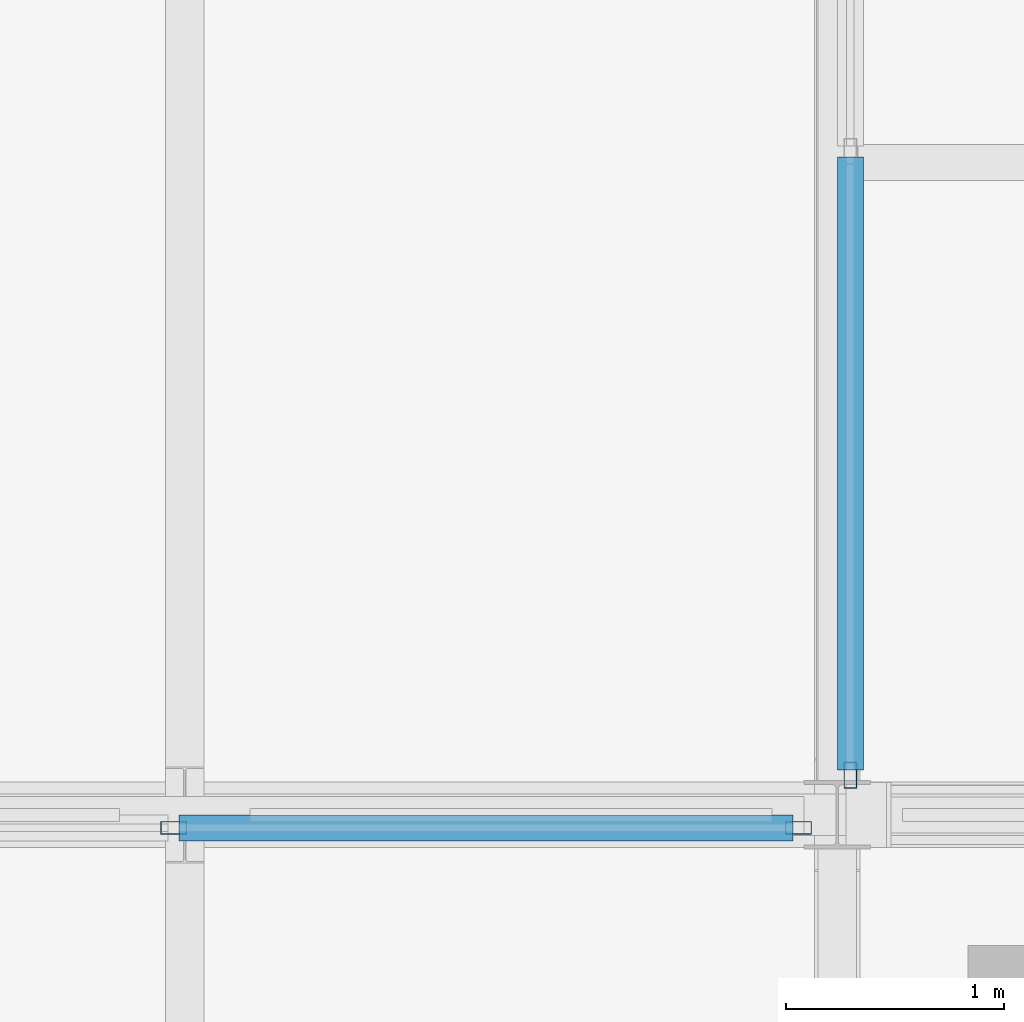
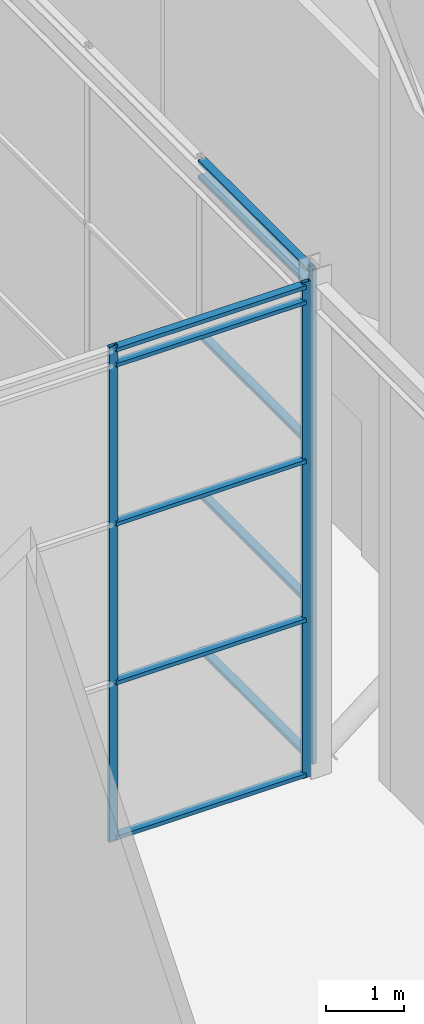
# One storey, part 63 of 144: 13 members, 2 elements without a shape of their own.
"""IFC4 building model written with IfcOpenShell, lengths in metres."""

from ifc_helpers import new_model, si_unit, direction, frame, origin, origin_2d, place, context, subcontext, project, spatial, hollow_rectangle, extrude, material, layer, layer_set, material_profile, profile_set, type_object, element, aggregate, save


model = new_model("IFC4")

# Units and contexts
model_context = context("Model", 3, precision=1e-05, world=origin(), true_north=direction((0.0, 1.0)))
body_context = subcontext(model_context, "Body", "Model", "MODEL_VIEW")
ifc_project = project(units=[si_unit("LENGTHUNIT", "METRE"), si_unit("AREAUNIT", "SQUARE_METRE"), si_unit("VOLUMEUNIT", "CUBIC_METRE"), si_unit("PLANEANGLEUNIT", "RADIAN"), si_unit("MASSUNIT", "GRAM", prefix="KILO")], contexts=[model_context])

# Site, building, storey
site_placement = place(None, origin())
site = spatial("IfcSite", under=ifc_project, at=site_placement, CompositionType="ELEMENT")
building_placement = place(site_placement, origin())
building = spatial("IfcBuilding", under=site, at=building_placement, Name="Shorebreak Coast Museum", CompositionType="ELEMENT")
storey_placement = place(building_placement, frame((0.0, 0.0, 36.0)))
storey = spatial("IfcBuildingStorey", under=building, at=storey_placement, Name="L06", CompositionType="ELEMENT", Elevation=36.0)

# Curtain wall, members
ifc_material_1 = material(Name="Aluminium", Category="aluminium")
ifc_layer = layer(ifc_material_1, 0.1201171875)
ifc_layer_set = layer_set([ifc_layer], Name="Aluminium")
curtain_wall_type = type_object("IfcCurtainWallType", Name="Atrium fire screen", PredefinedType="NOTDEFINED", material=ifc_layer_set)
curtain_wall_1_placement = place(storey_placement, origin())
curtain_wall_1 = element("IfcCurtainWall", 1, at=curtain_wall_1_placement, inside=storey, type_object=curtain_wall_type, Name="Atrium screen L06 S 83", PredefinedType="NOTDEFINED")
ifc_material_2 = material(Name="Aluminium", Category="aluminium")
ifc_material_profile_1 = material_profile(ifc_material_2, hollow_rectangle(XDim=0.06005859375, YDim=0.1201171875, WallThickness=0.00341796875, at=origin_2d()), Name="AL 120x60 RHS")
ifc_profile_set_1 = profile_set([ifc_material_profile_1], Name="Aluminium")
member_type_1 = type_object("IfcMemberType", Name="Screen mullion 50 x 120", PredefinedType="MULLION", material=ifc_profile_set_1)
member_1_placement = place(storey_placement, frame((104.94873046875, 62.93994140625, 0.0), z_axis=(0.0, 0.0, 1.0), x_axis=(0.0, 1.0, 0.0)))
member_1 = element("IfcMember", 2, at=member_1_placement, type_object=member_type_1, Name="CW6 mullion 3", PredefinedType="MULLION", context=body_context, shape_type="SweptSolid", body=[
    extrude(hollow_rectangle(XDim=0.06005859375, YDim=0.1201171875, WallThickness=0.00341796875, at=origin_2d()), origin(), (0.0, 0.0, 1.0), 7.800048828125),
])
member_2_placement = place(storey_placement, frame((107.821533203125, 62.93994140625, 0.0), z_axis=(0.0, 0.0, 1.0), x_axis=(0.0, 1.0, 0.0)))
member_2 = element("IfcMember", 3, at=member_2_placement, type_object=member_type_1, Name="CW6 mullion 4", PredefinedType="MULLION", context=body_context, shape_type="SweptSolid", body=[
    extrude(hollow_rectangle(XDim=0.06005859375, YDim=0.1201171875, WallThickness=0.00341796875, at=origin_2d()), origin(), (0.0, 0.0, 1.0), 7.800048828125),
])

# Curtain wall, member
curtain_wall_2_placement = place(storey_placement, origin())
curtain_wall_2 = element("IfcCurtainWall", 4, at=curtain_wall_2_placement, inside=storey, type_object=curtain_wall_type, Name="Atrium screen L06 E 91", PredefinedType="NOTDEFINED")
member_3_placement = place(storey_placement, frame((108.06005859375, 63.182373046875, 0.0), z_axis=(0.0, 0.0, 1.0), x_axis=(-1.0, 0.0, 0.0)))
member_3 = element("IfcMember", 5, at=member_3_placement, type_object=member_type_1, Name="CW5 mullion 1", PredefinedType="MULLION", context=body_context, shape_type="SweptSolid", body=[
    extrude(hollow_rectangle(XDim=0.06005859375, YDim=0.1201171875, WallThickness=0.00341796875, at=origin_2d()), origin(), (0.0, 0.0, 1.0), 7.800048828125),
])

# Member
ifc_material_3 = material(Name="Aluminium", Category="aluminium")
ifc_material_profile_2 = material_profile(ifc_material_3, hollow_rectangle(XDim=0.1201171875, YDim=0.06005859375, WallThickness=0.00341796875, at=origin_2d()), Name="AL 60x120 RHS")
ifc_profile_set_2 = profile_set([ifc_material_profile_2], Name="Aluminium")
member_type_2 = type_object("IfcMemberType", Name="Screen transom 120 x 50", PredefinedType="USERDEFINED", material=ifc_profile_set_2)
member_4_placement = place(storey_placement, frame((104.973876953125, 62.93994140625, 0.06005859375), z_axis=(1.0, 0.0, 0.0), x_axis=(0.0, 1.0, 0.0)))
member_4 = element("IfcMember", 6, at=member_4_placement, type_object=member_type_2, Name="CW6 transom 3.1", ObjectType="TRANSOM", PredefinedType="USERDEFINED", context=body_context, shape_type="SweptSolid", body=[
    extrude(hollow_rectangle(XDim=0.1201171875, YDim=0.06005859375, WallThickness=0.00341796875, at=origin_2d()), origin(), (0.0, 0.0, 1.0), 2.822509765625),
])

member_5_placement = place(storey_placement, frame((104.973876953125, 62.93994140625, 2.5), z_axis=(1.0, 0.0, 0.0), x_axis=(0.0, 1.0, 0.0)))
member_5 = element("IfcMember", 7, at=member_5_placement, type_object=member_type_2, Name="CW6 transom 3.2", ObjectType="TRANSOM", PredefinedType="USERDEFINED", context=body_context, shape_type="SweptSolid", body=[
    extrude(hollow_rectangle(XDim=0.1201171875, YDim=0.06005859375, WallThickness=0.00341796875, at=origin_2d()), origin(), (0.0, 0.0, 1.0), 2.822509765625),
])

member_6_placement = place(storey_placement, frame((104.973876953125, 62.93994140625, 5.0), z_axis=(1.0, 0.0, 0.0), x_axis=(0.0, 1.0, 0.0)))
member_6 = element("IfcMember", 8, at=member_6_placement, type_object=member_type_2, Name="CW6 transom 3.3", ObjectType="TRANSOM", PredefinedType="USERDEFINED", context=body_context, shape_type="SweptSolid", body=[
    extrude(hollow_rectangle(XDim=0.1201171875, YDim=0.06005859375, WallThickness=0.00341796875, at=origin_2d()), origin(), (0.0, 0.0, 1.0), 2.822509765625),
])

member_7_placement = place(storey_placement, frame((104.973876953125, 62.93994140625, 7.5), z_axis=(1.0, 0.0, 0.0), x_axis=(0.0, 1.0, 0.0)))
member_7 = element("IfcMember", 9, at=member_7_placement, type_object=member_type_2, Name="CW6 transom 3.4", ObjectType="TRANSOM", PredefinedType="USERDEFINED", context=body_context, shape_type="SweptSolid", body=[
    extrude(hollow_rectangle(XDim=0.1201171875, YDim=0.06005859375, WallThickness=0.00341796875, at=origin_2d()), origin(), (0.0, 0.0, 1.0), 2.822509765625),
])

member_8_placement = place(storey_placement, frame((104.973876953125, 62.93994140625, 7.739990234375), z_axis=(1.0, 0.0, 0.0), x_axis=(0.0, 1.0, 0.0)))
member_8 = element("IfcMember", 10, at=member_8_placement, type_object=member_type_2, Name="CW6 transom 3.5", ObjectType="TRANSOM", PredefinedType="USERDEFINED", context=body_context, shape_type="SweptSolid", body=[
    extrude(hollow_rectangle(XDim=0.1201171875, YDim=0.06005859375, WallThickness=0.00341796875, at=origin_2d()), origin(), (0.0, 0.0, 1.0), 2.822509765625),
])

aggregate(curtain_wall_1, [member_1, member_2, member_4, member_5, member_6, member_7, member_8])

member_9_placement = place(storey_placement, frame((108.06005859375, 63.207275390625, 0.06005859375), z_axis=(0.0, 1.0, 0.0), x_axis=(-1.0, 0.0, 0.0)))
member_9 = element("IfcMember", 11, at=member_9_placement, type_object=member_type_2, Name="CW5 transom 1.1", ObjectType="TRANSOM", PredefinedType="USERDEFINED", context=body_context, shape_type="SweptSolid", body=[
    extrude(hollow_rectangle(XDim=0.1201171875, YDim=0.06005859375, WallThickness=0.00341796875, at=origin_2d()), origin(), (0.0, 0.0, 1.0), 2.818115234375),
])

member_10_placement = place(storey_placement, frame((108.06005859375, 63.207275390625, 2.5), z_axis=(0.0, 1.0, 0.0), x_axis=(-1.0, 0.0, 0.0)))
member_10 = element("IfcMember", 12, at=member_10_placement, type_object=member_type_2, Name="CW5 transom 1.2", ObjectType="TRANSOM", PredefinedType="USERDEFINED", context=body_context, shape_type="SweptSolid", body=[
    extrude(hollow_rectangle(XDim=0.1201171875, YDim=0.06005859375, WallThickness=0.00341796875, at=origin_2d()), origin(), (0.0, 0.0, 1.0), 2.818115234375),
])

member_11_placement = place(storey_placement, frame((108.06005859375, 63.207275390625, 5.0), z_axis=(0.0, 1.0, 0.0), x_axis=(-1.0, 0.0, 0.0)))
member_11 = element("IfcMember", 13, at=member_11_placement, type_object=member_type_2, Name="CW5 transom 1.3", ObjectType="TRANSOM", PredefinedType="USERDEFINED", context=body_context, shape_type="SweptSolid", body=[
    extrude(hollow_rectangle(XDim=0.1201171875, YDim=0.06005859375, WallThickness=0.00341796875, at=origin_2d()), origin(), (0.0, 0.0, 1.0), 2.818115234375),
])

member_12_placement = place(storey_placement, frame((108.06005859375, 63.207275390625, 7.5), z_axis=(0.0, 1.0, 0.0), x_axis=(-1.0, 0.0, 0.0)))
member_12 = element("IfcMember", 14, at=member_12_placement, type_object=member_type_2, Name="CW5 transom 1.4", ObjectType="TRANSOM", PredefinedType="USERDEFINED", context=body_context, shape_type="SweptSolid", body=[
    extrude(hollow_rectangle(XDim=0.1201171875, YDim=0.06005859375, WallThickness=0.00341796875, at=origin_2d()), origin(), (0.0, 0.0, 1.0), 2.818115234375),
])

member_13_placement = place(storey_placement, frame((108.06005859375, 63.207275390625, 7.739990234375), z_axis=(0.0, 1.0, 0.0), x_axis=(-1.0, 0.0, 0.0)))
member_13 = element("IfcMember", 15, at=member_13_placement, type_object=member_type_2, Name="CW5 transom 1.5", ObjectType="TRANSOM", PredefinedType="USERDEFINED", context=body_context, shape_type="SweptSolid", body=[
    extrude(hollow_rectangle(XDim=0.1201171875, YDim=0.06005859375, WallThickness=0.00341796875, at=origin_2d()), origin(), (0.0, 0.0, 1.0), 2.818115234375),
])

aggregate(curtain_wall_2, [member_3, member_9, member_10, member_11, member_12, member_13])

save(model, "model.ifc")
